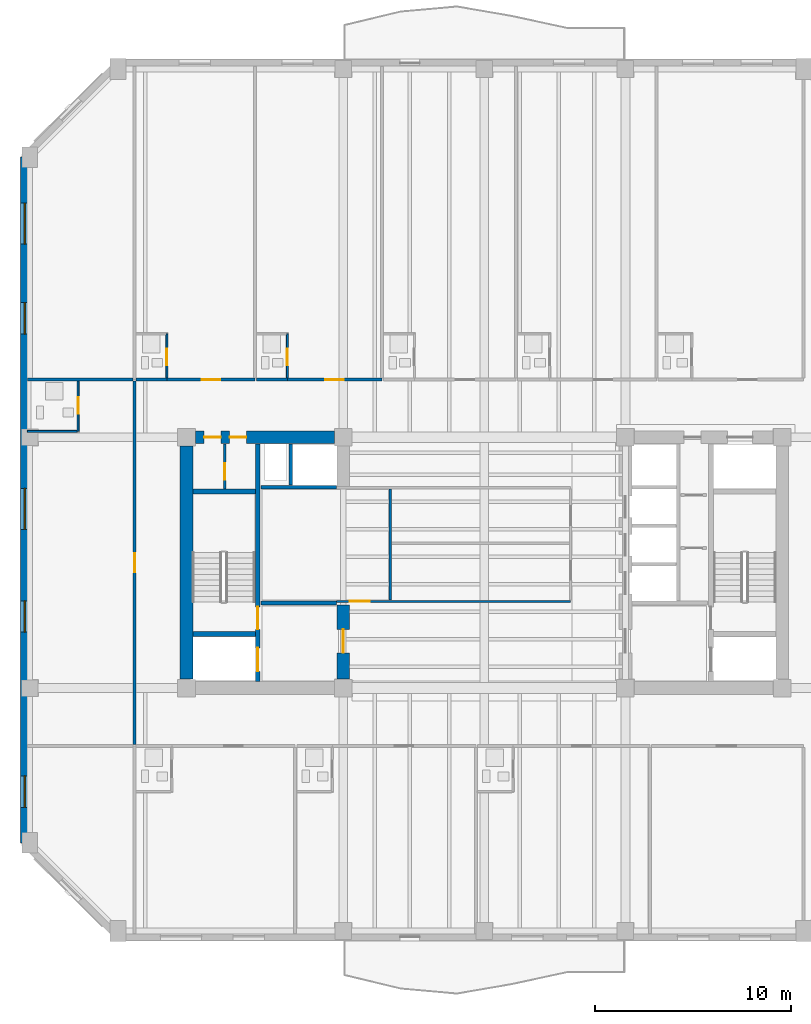
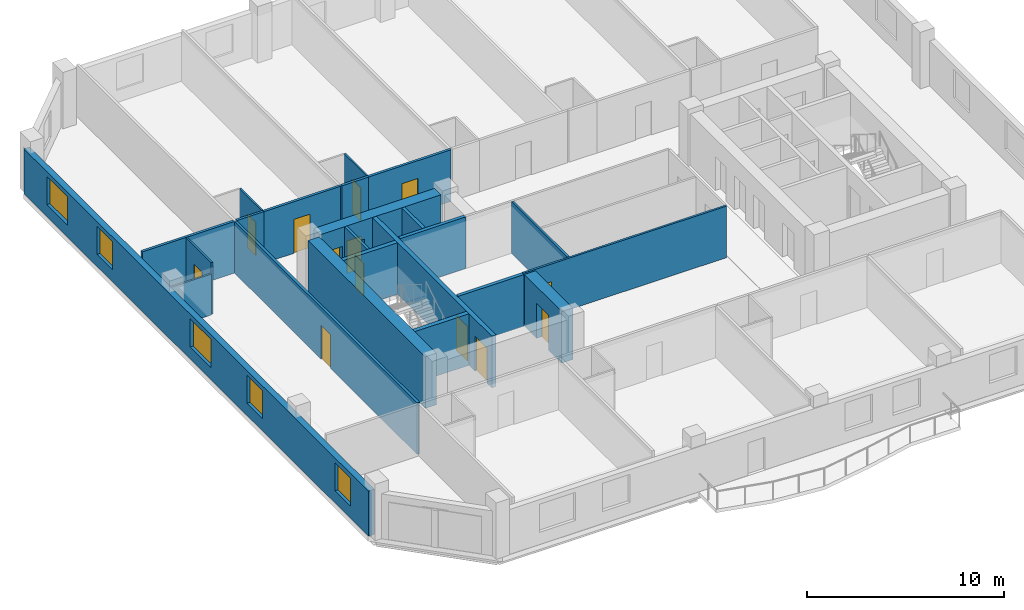
# One storey, part 3 of 11: 23 walls, 13 doors, 5 windows, 18 openings.
"""IFC4 building model written with IfcOpenShell, lengths in metres."""

import ifcopenshell
import ifcopenshell.guid

model = None  # the IFC model being written
_history = None  # IfcOwnerHistory: only IFC2X3 demands one
_inside = {}  # id of a spatial element -> (the spatial element, [elements in it])
_under = {}  # id of a project, library or spatial element -> (it, [spatial elements below it])
_declared = {}  # id of a project -> (the project, [libraries it declares])
_typed = {}  # id of a type object -> (the type object, [elements of that type])
_made_of = {}  # id of a material, layer set ... -> (it, [elements and type objects made of it])


def new_model(schema):
    """Start an empty IFC model of exactly this schema.

    Asked for "IFC4X3", IfcOpenShell would pick the latest addendum, in which some entities
    have other attributes; the version numbers below select the first issue.
    IFC2X3 requires an IfcOwnerHistory on every rooted entity: one is made here for all.
    """
    global model, _history
    if schema == "IFC4X3":
        model = ifcopenshell.file(schema_version=(4, 3, 0, 0))
    else:
        model = ifcopenshell.file(schema=schema)
    _inside.clear()
    _under.clear()
    _declared.clear()
    _typed.clear()
    _made_of.clear()
    _history = None
    if model.schema == "IFC2X3":
        org = make("IfcOrganization", Name="unknown")
        user = make(
            "IfcPersonAndOrganization",
            ThePerson=make("IfcPerson", FamilyName="unknown"),
            TheOrganization=org,
        )
        app = make(
            "IfcApplication",
            ApplicationDeveloper=org,
            Version="unknown",
            ApplicationFullName="unknown",
            ApplicationIdentifier="unknown",
        )
        _history = make(
            "IfcOwnerHistory",
            OwningUser=user,
            OwningApplication=app,
            ChangeAction="ADDED",
            CreationDate=0,
        )
    return model


def make(cls, **values):
    """One entity of the class cls with the attributes given. An attribute that is None is left unset."""
    return model.create_entity(
        cls, **{name: value for name, value in values.items() if value is not None}
    )


def rooted(cls, **values):
    """An entity with a GlobalId (a new one), such as an element, a storey or a relation."""
    return make(cls, GlobalId=ifcopenshell.guid.new(), OwnerHistory=_history, **values)


def si_unit(unit_type, name, prefix=None):
    """IfcSIUnit, for example si_unit("LENGTHUNIT", "METRE", prefix="MILLI")."""
    return make("IfcSIUnit", UnitType=unit_type, Prefix=prefix, Name=name)


def assignment(units):
    """IfcUnitAssignment: the units of a project."""
    return None if units is None else make("IfcUnitAssignment", Units=units)


def point(xyz):
    """IfcCartesianPoint."""
    return None if xyz is None else make("IfcCartesianPoint", Coordinates=xyz)


def direction(xyz):
    """IfcDirection."""
    return None if xyz is None else make("IfcDirection", DirectionRatios=xyz)


def frame(location, z_axis=None, x_axis=None):
    """IfcAxis2Placement3D, a coordinate frame: its origin and axes. An axis left out is left unset."""
    return make(
        "IfcAxis2Placement3D",
        Location=point(location),
        Axis=direction(z_axis),
        RefDirection=direction(x_axis),
    )


def frame_2d(location, x_axis=None):
    """IfcAxis2Placement2D, a coordinate frame in the plane: its origin and x axis."""
    return make(
        "IfcAxis2Placement2D", Location=point(location), RefDirection=direction(x_axis)
    )


def origin():
    """The frame at (0, 0, 0) with its axes left unset."""
    return frame((0.0, 0.0, 0.0))


def place(relative_to, where):
    """IfcLocalPlacement: puts the frame where relative to a parent placement (None: the world)."""
    return make(
        "IfcLocalPlacement", PlacementRelTo=relative_to, RelativePlacement=where
    )


def context(
    kind, dimensions, precision=None, world=None, true_north=None, identifier=None
):
    """IfcGeometricRepresentationContext, for example the 3D "Model" context."""
    return make(
        "IfcGeometricRepresentationContext",
        ContextIdentifier=identifier,
        ContextType=kind,
        CoordinateSpaceDimension=dimensions,
        Precision=precision,
        WorldCoordinateSystem=world,
        TrueNorth=true_north,
    )


def subcontext(parent, identifier, kind, view, scale=None):
    """IfcGeometricRepresentationSubContext, for example "Body" below "Model"."""
    return make(
        "IfcGeometricRepresentationSubContext",
        ContextIdentifier=identifier,
        ContextType=kind,
        ParentContext=parent,
        TargetScale=scale,
        TargetView=view,
    )


def project(units=None, contexts=None):
    """IfcProject with its units and contexts."""
    return rooted(
        "IfcProject",
        Name="project",
        RepresentationContexts=contexts,
        UnitsInContext=assignment(units),
    )


def spatial(cls, under=None, at=None, **own):
    """A site, building, storey or space (cls), placed at a placement, below another one or the project."""
    s = rooted(cls, ObjectPlacement=at, **own)
    if under is not None:
        _under.setdefault(under.id(), (under, []))[1].append(s)
    return s


def profile(cls, at=None, kind="AREA", **sizes):
    """A parametric profile (cls). Its sizes go by their IFC names, for example OverallWidth=200.0."""
    return make(cls, ProfileType=kind, Position=at, **sizes)


def rectangle(**sizes):
    """IfcRectangleProfileDef."""
    return profile("IfcRectangleProfileDef", **sizes)


def extrude(swept, where, along, depth):
    """IfcExtrudedAreaSolid: the profile swept, set in the frame where, extruded along a direction by depth."""
    return make(
        "IfcExtrudedAreaSolid",
        SweptArea=swept,
        Position=where,
        ExtrudedDirection=direction(along),
        Depth=depth,
    )


def shape(context_of_items, identifier, shape_type, items):
    """IfcShapeRepresentation: the items that make up one representation, for example the "Body"."""
    return make(
        "IfcShapeRepresentation",
        ContextOfItems=context_of_items,
        RepresentationIdentifier=identifier,
        RepresentationType=shape_type,
        Items=items,
    )


def material(Name=None, Category=None):
    """IfcMaterial."""
    return make("IfcMaterial", Name=Name, Category=Category)


def layer(
    of_material, thickness, ventilated=None, Name=None, Category=None, Priority=None
):
    """IfcMaterialLayer: one layer of a wall or slab, of a material (None: an air gap)."""
    return make(
        "IfcMaterialLayer",
        Material=of_material,
        LayerThickness=thickness,
        IsVentilated=ventilated,
        Name=Name,
        Category=Category,
        Priority=Priority,
    )


def layer_set(layers, Name=None):
    """IfcMaterialLayerSet."""
    return make("IfcMaterialLayerSet", MaterialLayers=layers, LayerSetName=Name)


def made_of(thing, what):
    """Note that an element or type object is made of a material, layer set ...; save() writes the relation."""
    if what is not None:
        _made_of.setdefault(what.id(), (what, []))[1].append(thing)
    return thing


def type_object(cls, material=None, **own):
    """A type object (cls), such as IfcWallType, which elements share."""
    return made_of(rooted(cls, **own), material)


def element(
    cls,
    number,
    at=None,
    inside=None,
    cuts=None,
    type_object=None,
    material=None,
    context=None,
    identifier="Body",
    shape_type=None,
    held_by="IfcProductDefinitionShape",
    body=None,
    shapes=None,
    **own,
):
    """One element of the class cls, such as IfcWall. Its Tag is "e" and its number.

    at: its placement. inside: the storey or other place that contains it. cuts: it is an
    opening in that element (IfcRelVoidsElement). A single representation is given by context,
    identifier, shape_type and body (its items); several are given by shapes. held_by: the class
    of the entity that holds the representations. save() writes the other relations.
    """
    e = rooted(cls, Tag="e%d" % number, ObjectPlacement=at, **own)
    if body is not None:
        shapes = [shape(context, identifier, shape_type, body)]
    if shapes is not None:
        e.Representation = make(held_by, Representations=shapes)
    if inside is not None:
        _inside.setdefault(inside.id(), (inside, []))[1].append(e)
    if cuts is not None:
        rooted(
            "IfcRelVoidsElement", RelatingBuildingElement=cuts, RelatedOpeningElement=e
        )
    if type_object is not None:
        _typed.setdefault(type_object.id(), (type_object, []))[1].append(e)
    return made_of(e, material)


def fill(opening, filler):
    """IfcRelFillsElement: the door or window that sits in an opening."""
    return rooted(
        "IfcRelFillsElement",
        RelatingOpeningElement=opening,
        RelatedBuildingElement=filler,
    )


def aggregate(whole, parts):
    """IfcRelAggregates: a whole, such as a stair, and the parts it consists of."""
    return rooted("IfcRelAggregates", RelatingObject=whole, RelatedObjects=parts)


def save(model, path):
    """Write the relations noted so far, then the file.

    IfcRelAggregates (storeys below a building ...), IfcRelContainedInSpatialStructure (elements
    in a storey), IfcRelDefinesByType, IfcRelAssociatesMaterial and IfcRelDeclares: one each for
    every whole, place, type object, material and project.
    """
    for whole, parts in _under.values():
        aggregate(whole, parts)
    for where, things in _inside.values():
        rooted(
            "IfcRelContainedInSpatialStructure",
            RelatedElements=things,
            RelatingStructure=where,
        )
    for kind, things in _typed.values():
        rooted("IfcRelDefinesByType", RelatedObjects=things, RelatingType=kind)
    for what, things in _made_of.values():
        rooted("IfcRelAssociatesMaterial", RelatedObjects=things, RelatingMaterial=what)
    for by, libraries in _declared.values():
        rooted("IfcRelDeclares", RelatingContext=by, RelatedDefinitions=libraries)
    model.write(path)


model = new_model("IFC4")

# Units and contexts
model_context = context("Model", 3, precision=1e-05, world=origin(), true_north=direction((0.0, 1.0)))
body_context = subcontext(model_context, "Body", "Model", "MODEL_VIEW")
ifc_project = project(units=[si_unit("LENGTHUNIT", "METRE"), si_unit("AREAUNIT", "SQUARE_METRE"), si_unit("VOLUMEUNIT", "CUBIC_METRE"), si_unit("PLANEANGLEUNIT", "RADIAN"), si_unit("MASSUNIT", "GRAM", prefix="KILO")], contexts=[model_context])

# Site, building, storey
site_placement = place(None, origin())
site = spatial("IfcSite", under=ifc_project, at=site_placement, CompositionType="ELEMENT")
building_placement = place(site_placement, origin())
building = spatial("IfcBuilding", under=site, at=building_placement, Name="Kranthara Brick Stack", CompositionType="ELEMENT")
storey_placement = place(building_placement, frame((0.0, 0.0, 190.300048828125)))
storey = spatial("IfcBuildingStorey", under=building, at=storey_placement, Name="L49", CompositionType="ELEMENT", Elevation=190.300048828125)

# Wall, openings, windows
ifc_material_1 = material(Name="Kiln-fired clay brick masonry M15", Category="masonry")
ifc_layer_1 = layer(ifc_material_1, 0.35009765625)
ifc_layer_set_1 = layer_set([ifc_layer_1], Name="Kiln-fired clay brick masonry M15")
wall_type_1 = type_object("IfcWallType", Name="WL-BRK-SPND-350", PredefinedType="STANDARD", material=ifc_layer_set_1)
wall_1_placement = place(storey_placement, frame((4.4951171875, 12.89990234375, 0.0), z_axis=(0.0, 0.0, 1.0), x_axis=(0.0, 1.0, 0.0)))
wall_1 = element("IfcWall", 1, at=wall_1_placement, inside=storey, type_object=wall_type_1, Name="L49 Exterior Brick Facade Wall WEST 1", PredefinedType="STANDARD", context=body_context, shape_type="SweptSolid", body=[
    extrude(rectangle(XDim=35.0, YDim=0.35009765625, at=frame_2d((17.5, 0.0))), origin(), (0.0, 0.0, 1.0), 2.784912109375),
])
opening_1_placement = place(wall_1_placement, frame((1.81298828125, 0.0, 0.75)))
opening_1 = element("IfcOpeningElement", 2, at=opening_1_placement, cuts=wall_1, Name="Opening WN04", PredefinedType="OPENING", context=body_context, shape_type="SweptSolid", body=[
    extrude(rectangle(XDim=1.60009765625, YDim=1.75, at=frame_2d((0.800048828125, 0.875))), frame((0.0, 0.18505859375, 0.0), z_axis=(0.0, -1.0, 0.0), x_axis=(1.0, 0.0, 0.0)), (0.0, 0.0, 1.0), 0.3701171875),
])
opening_2_placement = place(wall_1_placement, frame((10.751953125, 0.0, 0.75)))
opening_2 = element("IfcOpeningElement", 3, at=opening_2_placement, cuts=wall_1, Name="Opening WN04", PredefinedType="OPENING", context=body_context, shape_type="SweptSolid", body=[
    extrude(rectangle(XDim=1.60009765625, YDim=1.75, at=frame_2d((0.800048828125, 0.875))), frame((0.0, 0.18505859375, 0.0), z_axis=(0.0, -1.0, 0.0), x_axis=(1.0, 0.0, 0.0)), (0.0, 0.0, 1.0), 0.3701171875),
])
opening_3_placement = place(wall_1_placement, frame((15.998046875, 0.0, 0.75)))
opening_3 = element("IfcOpeningElement", 4, at=opening_3_placement, cuts=wall_1, Name="Opening WN05", PredefinedType="OPENING", context=body_context, shape_type="SweptSolid", body=[
    extrude(rectangle(XDim=2.10009765625, YDim=1.75, at=frame_2d((1.050048828125, 0.875))), frame((0.0, 0.18505859375, 0.0), z_axis=(0.0, -1.0, 0.0), x_axis=(1.0, 0.0, 0.0)), (0.0, 0.0, 1.0), 0.3701171875),
])
opening_4_placement = place(wall_1_placement, frame((25.969970703125, 0.0, 0.75)))
opening_4 = element("IfcOpeningElement", 5, at=opening_4_placement, cuts=wall_1, Name="Opening WN04", PredefinedType="OPENING", context=body_context, shape_type="SweptSolid", body=[
    extrude(rectangle(XDim=1.60009765625, YDim=1.75, at=frame_2d((0.800048828125, 0.875))), frame((0.0, 0.18505859375, 0.0), z_axis=(0.0, -1.0, 0.0), x_axis=(1.0, 0.0, 0.0)), (0.0, 0.0, 1.0), 0.3701171875),
])
opening_5_placement = place(wall_1_placement, frame((30.554931640625, 0.0, 0.75)))
opening_5 = element("IfcOpeningElement", 6, at=opening_5_placement, cuts=wall_1, Name="Opening WN05", PredefinedType="OPENING", context=body_context, shape_type="SweptSolid", body=[
    extrude(rectangle(XDim=2.10009765625, YDim=1.75, at=frame_2d((1.050048828125, 0.875))), frame((0.0, 0.18505859375, 0.0), z_axis=(0.0, -1.0, 0.0), x_axis=(1.0, 0.0, 0.0)), (0.0, 0.0, 1.0), 0.3701171875),
])
ifc_material_2 = material(Name="Double-glazed low-E solar control glass", Category="glass")
window_type_1 = type_object("IfcWindowType", Name="WN-HTL-1600x1850", PartitioningType="DOUBLE_PANEL_VERTICAL", PredefinedType="WINDOW", material=ifc_material_2)
window_1_placement = place(opening_1_placement, origin())
window_1 = element("IfcWindow", 7, at=window_1_placement, inside=storey, type_object=window_type_1, Name="L49 West Deep-Set Brick Window 01", OverallHeight=1.75, OverallWidth=1.60009765625, PartitioningType="SINGLE_PANEL", PredefinedType="WINDOW", context=body_context, shape_type="SweptSolid", body=[
    extrude(rectangle(XDim=1.60009765625, YDim=1.75, at=frame_2d((0.800048828125, 0.875))), frame((0.0, -0.010009765625, 0.0), z_axis=(0.0, -1.0, 0.0), x_axis=(1.0, 0.0, 0.0)), (0.0, 0.0, 1.0), 0.06005859375),
])
fill(opening_1, window_1)
window_2_placement = place(opening_2_placement, origin())
window_2 = element("IfcWindow", 8, at=window_2_placement, inside=storey, type_object=window_type_1, Name="L49 West Deep-Set Brick Window 02", OverallHeight=1.75, OverallWidth=1.60009765625, PartitioningType="SINGLE_PANEL", PredefinedType="WINDOW", context=body_context, shape_type="SweptSolid", body=[
    extrude(rectangle(XDim=1.60009765625, YDim=1.75, at=frame_2d((0.800048828125, 0.875))), frame((0.0, -0.010009765625, 0.0), z_axis=(0.0, -1.0, 0.0), x_axis=(1.0, 0.0, 0.0)), (0.0, 0.0, 1.0), 0.06005859375),
])
fill(opening_2, window_2)
window_3_placement = place(opening_4_placement, origin())
window_3 = element("IfcWindow", 9, at=window_3_placement, inside=storey, type_object=window_type_1, Name="L49 West Deep-Set Brick Window 04", OverallHeight=1.75, OverallWidth=1.60009765625, PartitioningType="SINGLE_PANEL", PredefinedType="WINDOW", context=body_context, shape_type="SweptSolid", body=[
    extrude(rectangle(XDim=1.60009765625, YDim=1.75, at=frame_2d((0.800048828125, 0.875))), frame((0.0, -0.010009765625, 0.0), z_axis=(0.0, -1.0, 0.0), x_axis=(1.0, 0.0, 0.0)), (0.0, 0.0, 1.0), 0.06005859375),
])
fill(opening_4, window_3)
ifc_material_3 = material(Name="Double-glazed low-E solar control glass", Category="glass")
window_type_2 = type_object("IfcWindowType", Name="WN-HTL-2100x1850", PartitioningType="DOUBLE_PANEL_VERTICAL", PredefinedType="WINDOW", material=ifc_material_3)
window_4_placement = place(opening_3_placement, origin())
window_4 = element("IfcWindow", 10, at=window_4_placement, inside=storey, type_object=window_type_2, Name="L49 West Deep-Set Brick Window 03", OverallHeight=1.75, OverallWidth=2.10009765625, PartitioningType="SINGLE_PANEL", PredefinedType="WINDOW", context=body_context, shape_type="SweptSolid", body=[
    extrude(rectangle(XDim=2.10009765625, YDim=1.75, at=frame_2d((1.050048828125, 0.875))), frame((0.0, -0.010009765625, 0.0), z_axis=(0.0, -1.0, 0.0), x_axis=(1.0, 0.0, 0.0)), (0.0, 0.0, 1.0), 0.06005859375),
])
fill(opening_3, window_4)
window_5_placement = place(opening_5_placement, origin())
window_5 = element("IfcWindow", 11, at=window_5_placement, inside=storey, type_object=window_type_2, Name="L49 West Deep-Set Brick Window 05", OverallHeight=1.75, OverallWidth=2.10009765625, PartitioningType="SINGLE_PANEL", PredefinedType="WINDOW", context=body_context, shape_type="SweptSolid", body=[
    extrude(rectangle(XDim=2.10009765625, YDim=1.75, at=frame_2d((1.050048828125, 0.875))), frame((0.0, -0.010009765625, 0.0), z_axis=(0.0, -1.0, 0.0), x_axis=(1.0, 0.0, 0.0)), (0.0, 0.0, 1.0), 0.06005859375),
])
fill(opening_5, window_5)

# Wall, openings, doors
ifc_material_4 = material(Name="Concrete C50/60", Category="concrete")
ifc_layer_2 = layer(ifc_material_4, 0.25)
ifc_layer_set_2 = layer_set([ifc_layer_2], Name="Concrete C50/60")
wall_type_2 = type_object("IfcWallType", Name="WL-CORE-250", PredefinedType="SHEAR", material=ifc_layer_set_2)
wall_2_placement = place(storey_placement, frame((16.43505859375, 21.135009765625, 0.0), z_axis=(0.0, 0.0, 1.0), x_axis=(0.0, 1.0, 0.0)))
wall_2 = element("IfcWall", 12, at=wall_2_placement, inside=storey, type_object=wall_type_2, Name="L49 West Core Stair Bearing Spine Wall", PredefinedType="SHEAR", context=body_context, shape_type="SweptSolid", body=[
    extrude(rectangle(XDim=12.1298828125, YDim=0.25, at=frame_2d((6.06494140625, 0.0))), origin(), (0.0, 0.0, 1.0), 3.199951171875),
])
opening_6_placement = place(wall_2_placement, frame((0.514892578125, 0.0, 0.0)))
opening_6 = element("IfcOpeningElement", 13, at=opening_6_placement, cuts=wall_2, Name="Opening LD01", PredefinedType="OPENING", context=body_context, shape_type="SweptSolid", body=[
    extrude(rectangle(XDim=1.199951171875, YDim=2.14990234375, at=frame_2d((0.60009765625, 1.074951171875))), frame((0.0, 0.135009765625, 0.0), z_axis=(0.0, -1.0, 0.0), x_axis=(1.0, 0.0, 0.0)), (0.0, 0.0, 1.0), 0.27001953125),
])
opening_7_placement = place(wall_2_placement, frame((2.6650390625, 0.0, 0.0)))
opening_7 = element("IfcOpeningElement", 14, at=opening_7_placement, cuts=wall_2, Name="Opening D05", PredefinedType="OPENING", context=body_context, shape_type="SweptSolid", body=[
    extrude(rectangle(XDim=1.14990234375, YDim=2.14990234375, at=frame_2d((0.574951171875, 1.074951171875))), frame((0.0, 0.135009765625, 0.0), z_axis=(0.0, -1.0, 0.0), x_axis=(1.0, 0.0, 0.0)), (0.0, 0.0, 1.0), 0.27001953125),
])
ifc_material_5 = material(Name="Stainless steel sliding landing door", Category="steel")
door_type_1 = type_object("IfcDoorType", Name="DR-LD-FF1200", OperationType="DOUBLE_DOOR_SLIDING", PredefinedType="DOOR", material=ifc_material_5)
door_1_placement = place(opening_6_placement, origin())
door_1 = element("IfcDoor", 15, at=door_1_placement, inside=storey, type_object=door_type_1, Name="L49 Firefighting Lift FF-01 Landing Door", OperationType="DOUBLE_DOOR_SLIDING", OverallHeight=2.14990234375, OverallWidth=1.199951171875, PredefinedType="DOOR", context=body_context, shape_type="SweptSolid", body=[
    extrude(rectangle(XDim=1.199951171875, YDim=2.14990234375, at=frame_2d((0.60009765625, 1.074951171875))), frame((0.0, 0.02490234375, 0.0), z_axis=(0.0, -1.0, 0.0), x_axis=(1.0, 0.0, 0.0)), (0.0, 0.0, 1.0), 0.050048828125),
])
fill(opening_6, door_1)
ifc_material_6 = material(Name="Solid-core hardwood timber leaf in steel frame", Category="steel")
door_type_2 = type_object("IfcDoorType", Name="DR-ST-1150", OperationType="NOTDEFINED", PredefinedType="DOOR", material=ifc_material_6)
door_2_placement = place(opening_7_placement, origin())
door_2 = element("IfcDoor", 16, at=door_2_placement, inside=storey, type_object=door_type_2, Name="L49 Exit Stair ST01 Door", OperationType="SINGLE_SWING_RIGHT", OverallHeight=2.14990234375, OverallWidth=1.14990234375, PredefinedType="DOOR", context=body_context, shape_type="SweptSolid", body=[
    extrude(rectangle(XDim=1.14990234375, YDim=2.14990234375, at=frame_2d((0.574951171875, 1.074951171875))), frame((0.0, 0.02490234375, 0.0), z_axis=(0.0, -1.0, 0.0), x_axis=(1.0, 0.0, 0.0)), (0.0, 0.0, 1.0), 0.050048828125),
])
fill(opening_7, door_2)

# Walls
for number, where, z_axis, x_axis, name in (
    (17, (13.135009765625, 23.570068359375, 0.0), (0.0, 0.0, 1.0), (1.0, 0.0, 0.0), "L49 West Stairwell Bearing Wall WFF"),
    (18, (13.135009765625, 30.830078125, 0.0), (0.0, 0.0, 1.0), (1.0, 0.0, 0.0), "L49 West Stairwell Bearing Wall WST"),
):
    element("IfcWall", number, at=place(storey_placement, frame(where, z_axis=z_axis, x_axis=x_axis)), inside=storey, type_object=wall_type_2, Name=name, PredefinedType="SHEAR", context=body_context, shape_type="SweptSolid", body=[
        extrude(rectangle(XDim=3.175048828125, YDim=0.25, at=frame_2d((1.58740234375, 0.0))), origin(), (0.0, 0.0, 1.0), 3.199951171875),
    ])
ifc_material_7 = material(Name="Concrete C60/75", Category="concrete")
ifc_layer_3 = layer(ifc_material_7, 0.64990234375)
ifc_layer_set_3 = layer_set([ifc_layer_3], Name="Concrete C60/75")
wall_type_3 = type_object("IfcWallType", Name="WL-CORE-650", PredefinedType="SHEAR", material=ifc_layer_set_3)
wall_3_placement = place(storey_placement, frame((12.800048828125, 21.2548828125, 0.0), z_axis=(0.0, 0.0, 1.0), x_axis=(0.0, 1.0, 0.0)))
element("IfcWall", 19, at=wall_3_placement, inside=storey, type_object=wall_type_3, Name="L49 West Core Shear Wall West", PredefinedType="SHEAR", context=body_context, shape_type="SweptSolid", body=[
    extrude(rectangle(XDim=11.89013671875, YDim=0.64990234375, at=frame_2d((5.945068359375, 0.0))), origin(), (0.0, 0.0, 1.0), 3.199951171875),
])

# Wall, openings, doors
wall_4_placement = place(storey_placement, frame((13.2548828125, 33.60009765625, 0.0), z_axis=(0.0, 0.0, 1.0), x_axis=(1.0, 0.0, 0.0)))
wall_4 = element("IfcWall", 20, at=wall_4_placement, inside=storey, type_object=wall_type_3, Name="L49 West Core Shear Wall North", PredefinedType="SHEAR", context=body_context, shape_type="SweptSolid", body=[
    extrude(rectangle(XDim=7.090087890625, YDim=0.64990234375, at=frame_2d((3.544921875, 0.0))), origin(), (0.0, 0.0, 1.0), 3.199951171875),
])
opening_8_placement = place(wall_4_placement, frame((0.445068359375, 0.0, 0.0)))
opening_8 = element("IfcOpeningElement", 21, at=opening_8_placement, cuts=wall_4, Name="Opening D10", PredefinedType="OPENING", context=body_context, shape_type="SweptSolid", body=[
    extrude(rectangle(XDim=0.85009765625, YDim=2.02001953125, at=frame_2d((0.425048828125, 1.010009765625))), frame((0.0, 0.3349609375, 0.0), z_axis=(0.0, -1.0, 0.0), x_axis=(1.0, 0.0, 0.0)), (0.0, 0.0, 1.0), 0.669921875),
])
opening_9_placement = place(wall_4_placement, frame((1.7451171875, 0.0, 0.0)))
opening_9 = element("IfcOpeningElement", 22, at=opening_9_placement, cuts=wall_4, Name="Opening D10", PredefinedType="OPENING", context=body_context, shape_type="SweptSolid", body=[
    extrude(rectangle(XDim=0.85009765625, YDim=2.02001953125, at=frame_2d((0.425048828125, 1.010009765625))), frame((0.0, 0.3349609375, 0.0), z_axis=(0.0, -1.0, 0.0), x_axis=(1.0, 0.0, 0.0)), (0.0, 0.0, 1.0), 0.669921875),
])
ifc_material_8 = material(Name="Solid-core hardwood timber leaf in steel frame", Category="steel")
door_type_3 = type_object("IfcDoorType", Name="DR-RSR-850", OperationType="NOTDEFINED", PredefinedType="DOOR", material=ifc_material_8)
door_3_placement = place(opening_8_placement, origin())
door_3 = element("IfcDoor", 23, at=door_3_placement, inside=storey, type_object=door_type_3, Name="L49 West Core Service Door 1", OperationType="SINGLE_SWING_LEFT", OverallHeight=2.02001953125, OverallWidth=0.85009765625, PredefinedType="DOOR", context=body_context, shape_type="SweptSolid", body=[
    extrude(rectangle(XDim=0.85009765625, YDim=2.02001953125, at=frame_2d((0.425048828125, 1.010009765625))), frame((0.0, 0.02490234375, 0.0), z_axis=(0.0, -1.0, 0.0), x_axis=(1.0, 0.0, 0.0)), (0.0, 0.0, 1.0), 0.050048828125),
])
fill(opening_8, door_3)
door_4_placement = place(opening_9_placement, origin())
door_4 = element("IfcDoor", 24, at=door_4_placement, inside=storey, type_object=door_type_3, Name="L49 West Core Service Door 2", OperationType="SINGLE_SWING_RIGHT", OverallHeight=2.02001953125, OverallWidth=0.85009765625, PredefinedType="DOOR", context=body_context, shape_type="SweptSolid", body=[
    extrude(rectangle(XDim=0.85009765625, YDim=2.02001953125, at=frame_2d((0.425048828125, 1.010009765625))), frame((0.0, 0.02490234375, 0.0), z_axis=(0.0, -1.0, 0.0), x_axis=(1.0, 0.0, 0.0)), (0.0, 0.0, 1.0), 0.050048828125),
])
fill(opening_9, door_4)

# Wall, opening, door
wall_5_placement = place(storey_placement, frame((20.800048828125, 21.2548828125, 0.0), z_axis=(0.0, 0.0, 1.0), x_axis=(0.0, 1.0, 0.0)))
wall_5 = element("IfcWall", 25, at=wall_5_placement, inside=storey, type_object=wall_type_3, Name="L49 West Core Lobby Shear Wall", PredefinedType="SHEAR", context=body_context, shape_type="SweptSolid", body=[
    extrude(rectangle(XDim=3.795166015625, YDim=0.64990234375, at=frame_2d((1.8974609375, 0.0))), origin(), (0.0, 0.0, 1.0), 3.199951171875),
])
opening_10_placement = place(wall_5_placement, frame((1.344970703125, 0.0, 0.0)))
opening_10 = element("IfcOpeningElement", 26, at=opening_10_placement, cuts=wall_5, Name="Opening D06", PredefinedType="OPENING", context=body_context, shape_type="SweptSolid", body=[
    extrude(rectangle(XDim=1.199951171875, YDim=2.14990234375, at=frame_2d((0.60009765625, 1.074951171875))), frame((0.0, 0.3349609375, 0.0), z_axis=(0.0, -1.0, 0.0), x_axis=(1.0, 0.0, 0.0)), (0.0, 0.0, 1.0), 0.669921875),
])
ifc_material_9 = material(Name="Solid-core hardwood timber leaf in steel frame", Category="steel")
door_type_4 = type_object("IfcDoorType", Name="DR-FFL-1200", OperationType="NOTDEFINED", PredefinedType="DOOR", material=ifc_material_9)
door_5_placement = place(opening_10_placement, origin())
door_5 = element("IfcDoor", 27, at=door_5_placement, inside=storey, type_object=door_type_4, Name="L49 West Firefighting Lobby Door", OperationType="SINGLE_SWING_LEFT", OverallHeight=2.14990234375, OverallWidth=1.199951171875, PredefinedType="DOOR", context=body_context, shape_type="SweptSolid", body=[
    extrude(rectangle(XDim=1.199951171875, YDim=2.14990234375, at=frame_2d((0.60009765625, 1.074951171875))), frame((0.0, 0.02490234375, 0.0), z_axis=(0.0, -1.0, 0.0), x_axis=(1.0, 0.0, 0.0)), (0.0, 0.0, 1.0), 0.050048828125),
])
fill(opening_10, door_5)

ifc_material_10 = material(Name="Moisture-resistant wet-room partition", Category="other")
ifc_layer_4 = layer(ifc_material_10, 0.10009765625)
ifc_layer_set_4 = layer_set([ifc_layer_4], Name="Moisture-resistant wet-room partition")
wall_type_4 = type_object("IfcWallType", Name="WL-PART-100", PredefinedType="PARTITIONING", material=ifc_layer_set_4)
wall_6_placement = place(storey_placement, frame((11.800048828125, 36.6298828125, 0.0), z_axis=(0.0, 0.0, 1.0), x_axis=(0.0, 1.0, 0.0)))
wall_6 = element("IfcWall", 28, at=wall_6_placement, inside=storey, type_object=wall_type_4, Name="L49 Interior Partition 030", PredefinedType="PARTITIONING", context=body_context, shape_type="SweptSolid", body=[
    extrude(rectangle(XDim=2.25, YDim=0.10009765625, at=frame_2d((1.125, 0.0))), origin(), (0.0, 0.0, 1.0), 3.199951171875),
])
opening_11_placement = place(wall_6_placement, frame((0.639892578125, 0.0, 0.0)))
opening_11 = element("IfcOpeningElement", 29, at=opening_11_placement, cuts=wall_6, Name="Opening D17", PredefinedType="OPENING", context=body_context, shape_type="SweptSolid", body=[
    extrude(rectangle(XDim=0.85009765625, YDim=2.050048828125, at=frame_2d((0.425048828125, 1.02490234375))), frame((0.0, 0.06005859375, 0.0), z_axis=(0.0, -1.0, 0.0), x_axis=(1.0, 0.0, 0.0)), (0.0, 0.0, 1.0), 0.1201171875),
])
ifc_material_11 = material(Name="Solid-core hardwood timber leaf in steel frame", Category="steel")
door_type_5 = type_object("IfcDoorType", Name="DR-WET-850", OperationType="NOTDEFINED", PredefinedType="DOOR", material=ifc_material_11)
door_6_placement = place(opening_11_placement, origin())
door_6 = element("IfcDoor", 30, at=door_6_placement, inside=storey, type_object=door_type_5, Name="L49 Key 05 En-Suite Door 14", OperationType="SINGLE_SWING_RIGHT", OverallHeight=2.050048828125, OverallWidth=0.85009765625, PredefinedType="DOOR", context=body_context, shape_type="SweptSolid", body=[
    extrude(rectangle(XDim=0.85009765625, YDim=2.050048828125, at=frame_2d((0.425048828125, 1.02490234375))), frame((0.0, 0.02490234375, 0.0), z_axis=(0.0, -1.0, 0.0), x_axis=(1.0, 0.0, 0.0)), (0.0, 0.0, 1.0), 0.050048828125),
])
fill(opening_11, door_6)

wall_7_placement = place(storey_placement, frame((17.947021484375, 36.6298828125, 0.0), z_axis=(0.0, 0.0, 1.0), x_axis=(0.0, 1.0, 0.0)))
wall_7 = element("IfcWall", 31, at=wall_7_placement, inside=storey, type_object=wall_type_4, Name="L49 Interior Partition 035", PredefinedType="PARTITIONING", context=body_context, shape_type="SweptSolid", body=[
    extrude(rectangle(XDim=2.25, YDim=0.10009765625, at=frame_2d((1.125, 0.0))), origin(), (0.0, 0.0, 1.0), 3.199951171875),
])
opening_12_placement = place(wall_7_placement, frame((0.639892578125, 0.0, 0.0)))
opening_12 = element("IfcOpeningElement", 32, at=opening_12_placement, cuts=wall_7, Name="Opening D17", PredefinedType="OPENING", context=body_context, shape_type="SweptSolid", body=[
    extrude(rectangle(XDim=0.85009765625, YDim=2.050048828125, at=frame_2d((0.425048828125, 1.02490234375))), frame((0.0, 0.06005859375, 0.0), z_axis=(0.0, -1.0, 0.0), x_axis=(1.0, 0.0, 0.0)), (0.0, 0.0, 1.0), 0.1201171875),
])
door_7_placement = place(opening_12_placement, origin())
door_7 = element("IfcDoor", 33, at=door_7_placement, inside=storey, type_object=door_type_5, Name="L49 Key 06 En-Suite Door 16", OperationType="SINGLE_SWING_RIGHT", OverallHeight=2.050048828125, OverallWidth=0.85009765625, PredefinedType="DOOR", context=body_context, shape_type="SweptSolid", body=[
    extrude(rectangle(XDim=0.85009765625, YDim=2.050048828125, at=frame_2d((0.425048828125, 1.02490234375))), frame((0.0, 0.02490234375, 0.0), z_axis=(0.0, -1.0, 0.0), x_axis=(1.0, 0.0, 0.0)), (0.0, 0.0, 1.0), 0.050048828125),
])
fill(opening_12, door_7)

wall_8_placement = place(storey_placement, frame((7.27001953125, 33.89990234375, 0.0), z_axis=(0.0, 0.0, 1.0), x_axis=(0.0, 1.0, 0.0)))
wall_8 = element("IfcWall", 34, at=wall_8_placement, inside=storey, type_object=wall_type_4, Name="L49 Interior Partition 056", PredefinedType="PARTITIONING", context=body_context, shape_type="SweptSolid", body=[
    extrude(rectangle(XDim=2.570068359375, YDim=0.10009765625, at=frame_2d((1.28515625, 0.0))), origin(), (0.0, 0.0, 1.0), 3.199951171875),
])
opening_13_placement = place(wall_8_placement, frame((0.905029296875, 0.0, 0.0)))
opening_13 = element("IfcOpeningElement", 35, at=opening_13_placement, cuts=wall_8, Name="Opening D17", PredefinedType="OPENING", context=body_context, shape_type="SweptSolid", body=[
    extrude(rectangle(XDim=0.85009765625, YDim=2.050048828125, at=frame_2d((0.425048828125, 1.02490234375))), frame((0.0, 0.06005859375, 0.0), z_axis=(0.0, -1.0, 0.0), x_axis=(1.0, 0.0, 0.0)), (0.0, 0.0, 1.0), 0.1201171875),
])
door_8_placement = place(opening_13_placement, origin())
door_8 = element("IfcDoor", 36, at=door_8_placement, inside=storey, type_object=door_type_5, Name="L49 West Key 10 Bath 24", OperationType="SINGLE_SWING_RIGHT", OverallHeight=2.050048828125, OverallWidth=0.85009765625, PredefinedType="DOOR", context=body_context, shape_type="SweptSolid", body=[
    extrude(rectangle(XDim=0.85009765625, YDim=2.050048828125, at=frame_2d((0.425048828125, 1.02490234375))), frame((0.0, 0.02490234375, 0.0), z_axis=(0.0, -1.0, 0.0), x_axis=(1.0, 0.0, 0.0)), (0.0, 0.0, 1.0), 0.050048828125),
])
fill(opening_13, door_8)

# Wall
wall_9_placement = place(storey_placement, frame((4.675048828125, 33.89990234375, 0.0), z_axis=(0.0, 0.0, 1.0), x_axis=(1.0, 0.0, 0.0)))
element("IfcWall", 37, at=wall_9_placement, inside=storey, type_object=wall_type_4, Name="L49 Interior Partition 057", PredefinedType="PARTITIONING", context=body_context, shape_type="SweptSolid", body=[
    extrude(rectangle(XDim=2.5400390625, YDim=0.10009765625, at=frame_2d((1.27001953125, 0.0))), origin(), (0.0, 0.0, 1.0), 2.534912109375),
])

# Wall, opening, door
ifc_material_12 = material(Name="Acoustic gypsum plasterboard partition", Category="other")
ifc_layer_5 = layer(ifc_material_12, 0.1201171875)
ifc_layer_set_5 = layer_set([ifc_layer_5], Name="Acoustic gypsum plasterboard partition")
wall_type_5 = type_object("IfcWallType", Name="WL-PART-120", PredefinedType="PARTITIONING", material=ifc_layer_set_5)
wall_10_placement = place(storey_placement, frame((20.4599609375, 25.219970703125, 0.0), z_axis=(0.0, 0.0, 1.0), x_axis=(1.0, 0.0, 0.0)))
wall_10 = element("IfcWall", 38, at=wall_10_placement, inside=storey, type_object=wall_type_5, Name="L49 Interior Partition 004", PredefinedType="PARTITIONING", context=body_context, shape_type="SweptSolid", body=[
    extrude(rectangle(XDim=11.93994140625, YDim=0.1201171875, at=frame_2d((5.969970703125, 0.0))), origin(), (0.0, 0.0, 1.0), 3.199951171875),
])
opening_14_placement = place(wall_10_placement, frame((0.679931640625, 0.0, 0.0)))
opening_14 = element("IfcOpeningElement", 39, at=opening_14_placement, cuts=wall_10, Name="Opening D13", PredefinedType="OPENING", context=body_context, shape_type="SweptSolid", body=[
    extrude(rectangle(XDim=1.0, YDim=2.10009765625, at=frame_2d((0.5, 1.050048828125))), frame((0.0, 0.070068359375, 0.0), z_axis=(0.0, -1.0, 0.0), x_axis=(1.0, 0.0, 0.0)), (0.0, 0.0, 1.0), 0.14013671875),
])
ifc_material_13 = material(Name="Solid-core hardwood timber leaf in steel frame", Category="steel")
door_type_6 = type_object("IfcDoorType", Name="DR-INT-1000", OperationType="NOTDEFINED", PredefinedType="DOOR", material=ifc_material_13)
door_9_placement = place(opening_14_placement, origin())
door_9 = element("IfcDoor", 40, at=door_9_placement, inside=storey, type_object=door_type_6, Name="L49 Hotel Study Door 04", OperationType="SINGLE_SWING_RIGHT", OverallHeight=2.10009765625, OverallWidth=1.0, PredefinedType="DOOR", context=body_context, shape_type="SweptSolid", body=[
    extrude(rectangle(XDim=1.0, YDim=2.10009765625, at=frame_2d((0.5, 1.050048828125))), frame((0.0, 0.02490234375, 0.0), z_axis=(0.0, -1.0, 0.0), x_axis=(1.0, 0.0, 0.0)), (0.0, 0.0, 1.0), 0.050048828125),
])
fill(opening_14, door_9)

# Wall
wall_11_placement = place(storey_placement, frame((23.199951171875, 25.284912109375, 0.0), z_axis=(0.0, 0.0, 1.0), x_axis=(0.0, 1.0, 0.0)))
element("IfcWall", 41, at=wall_11_placement, inside=storey, type_object=wall_type_5, Name="L49 Interior Partition 007", PredefinedType="PARTITIONING", context=body_context, shape_type="SweptSolid", body=[
    extrude(rectangle(XDim=5.670166015625, YDim=0.1201171875, at=frame_2d((2.8349609375, 0.0))), origin(), (0.0, 0.0, 1.0), 3.199951171875),
])

# Wall, opening, door
ifc_material_14 = material(Name="Fire-rated gypsum board partition", Category="other")
ifc_layer_6 = layer(ifc_material_14, 0.14990234375)
ifc_layer_set_6 = layer_set([ifc_layer_6], Name="Fire-rated gypsum board partition")
wall_type_6 = type_object("IfcWallType", Name="WL-PART-150", PredefinedType="PARTITIONING", material=ifc_layer_set_6)
wall_12_placement = place(storey_placement, frame((14.75, 30.9599609375, 0.0), z_axis=(0.0, 0.0, 1.0), x_axis=(0.0, 1.0, 0.0)))
wall_12 = element("IfcWall", 42, at=wall_12_placement, inside=storey, type_object=wall_type_6, Name="L49 Interior Partition 001", PredefinedType="PARTITIONING", context=body_context, shape_type="SweptSolid", body=[
    extrude(rectangle(XDim=2.31005859375, YDim=0.14990234375, at=frame_2d((1.155029296875, 0.0))), origin(), (0.0, 0.0, 1.0), 3.199951171875),
])
opening_15_placement = place(wall_12_placement, frame((0.469970703125, 0.0, 0.0)))
opening_15 = element("IfcOpeningElement", 43, at=opening_15_placement, cuts=wall_12, Name="Opening D10", PredefinedType="OPENING", context=body_context, shape_type="SweptSolid", body=[
    extrude(rectangle(XDim=0.85009765625, YDim=2.02001953125, at=frame_2d((0.425048828125, 1.010009765625))), frame((0.0, 0.0849609375, 0.0), z_axis=(0.0, -1.0, 0.0), x_axis=(1.0, 0.0, 0.0)), (0.0, 0.0, 1.0), 0.169921875),
])
door_10_placement = place(opening_15_placement, origin())
door_10 = element("IfcDoor", 44, at=door_10_placement, inside=storey, type_object=door_type_3, Name="L49 Service Interconnect 01", OperationType="SINGLE_SWING_LEFT", OverallHeight=2.02001953125, OverallWidth=0.85009765625, PredefinedType="DOOR", context=body_context, shape_type="SweptSolid", body=[
    extrude(rectangle(XDim=0.85009765625, YDim=2.02001953125, at=frame_2d((0.425048828125, 1.010009765625))), frame((0.0, 0.02490234375, 0.0), z_axis=(0.0, -1.0, 0.0), x_axis=(1.0, 0.0, 0.0)), (0.0, 0.0, 1.0), 0.050048828125),
])
fill(opening_15, door_10)

# Wall
wall_13_placement = place(storey_placement, frame((10.22998046875, 36.550048828125, 0.0), z_axis=(0.0, 0.0, 1.0), x_axis=(1.0, 0.0, 0.0)))
element("IfcWall", 45, at=wall_13_placement, inside=storey, type_object=wall_type_6, Name="L49 Interior Partition 028", PredefinedType="PARTITIONING", context=body_context, shape_type="SweptSolid", body=[
    extrude(rectangle(XDim=1.570068359375, YDim=0.14990234375, at=frame_2d((0.78515625, 0.0))), origin(), (0.0, 0.0, 1.0), 3.199951171875),
])

# Wall, opening, door
wall_14_placement = place(storey_placement, frame((11.800048828125, 36.550048828125, 0.0), z_axis=(0.0, 0.0, 1.0), x_axis=(1.0, 0.0, 0.0)))
wall_14 = element("IfcWall", 46, at=wall_14_placement, inside=storey, type_object=wall_type_6, Name="L49 Interior Partition 029", PredefinedType="PARTITIONING", context=body_context, shape_type="SweptSolid", body=[
    extrude(rectangle(XDim=4.4970703125, YDim=0.14990234375, at=frame_2d((2.24853515625, 0.0))), origin(), (0.0, 0.0, 1.0), 3.199951171875),
])
opening_16_placement = place(wall_14_placement, frame((1.76806640625, 0.0, 0.0)))
opening_16 = element("IfcOpeningElement", 47, at=opening_16_placement, cuts=wall_14, Name="Opening D09", PredefinedType="OPENING", context=body_context, shape_type="SweptSolid", body=[
    extrude(rectangle(XDim=0.949951171875, YDim=2.10009765625, at=frame_2d((0.47509765625, 1.050048828125))), frame((0.0, 0.0849609375, 0.0), z_axis=(0.0, -1.0, 0.0), x_axis=(1.0, 0.0, 0.0)), (0.0, 0.0, 1.0), 0.169921875),
])
ifc_material_15 = material(Name="Solid-core hardwood timber leaf in steel frame", Category="steel")
door_type_7 = type_object("IfcDoorType", Name="DR-FD-950", OperationType="NOTDEFINED", PredefinedType="DOOR", material=ifc_material_15)
door_11_placement = place(opening_16_placement, origin())
door_11 = element("IfcDoor", 48, at=door_11_placement, inside=storey, type_object=door_type_7, Name="L49 Key 05 Entry 15", OperationType="SINGLE_SWING_LEFT", OverallHeight=2.10009765625, OverallWidth=0.949951171875, PredefinedType="DOOR", context=body_context, shape_type="SweptSolid", body=[
    extrude(rectangle(XDim=0.949951171875, YDim=2.10009765625, at=frame_2d((0.47509765625, 1.050048828125))), frame((0.0, 0.02490234375, 0.0), z_axis=(0.0, -1.0, 0.0), x_axis=(1.0, 0.0, 0.0)), (0.0, 0.0, 1.0), 0.050048828125),
])
fill(opening_16, door_11)

# Wall
wall_15_placement = place(storey_placement, frame((16.376953125, 36.550048828125, 0.0), z_axis=(0.0, 0.0, 1.0), x_axis=(1.0, 0.0, 0.0)))
element("IfcWall", 49, at=wall_15_placement, inside=storey, type_object=wall_type_6, Name="L49 Interior Partition 033", PredefinedType="PARTITIONING", context=body_context, shape_type="SweptSolid", body=[
    extrude(rectangle(XDim=1.570068359375, YDim=0.14990234375, at=frame_2d((0.78515625, 0.0))), origin(), (0.0, 0.0, 1.0), 3.199951171875),
])

# Wall, opening, door
wall_16_placement = place(storey_placement, frame((17.947021484375, 36.550048828125, 0.0), z_axis=(0.0, 0.0, 1.0), x_axis=(1.0, 0.0, 0.0)))
wall_16 = element("IfcWall", 50, at=wall_16_placement, inside=storey, type_object=wall_type_6, Name="L49 Interior Partition 034", PredefinedType="PARTITIONING", context=body_context, shape_type="SweptSolid", body=[
    extrude(rectangle(XDim=4.837890625, YDim=0.14990234375, at=frame_2d((2.4189453125, 0.0))), origin(), (0.0, 0.0, 1.0), 3.199951171875),
])
opening_17_placement = place(wall_16_placement, frame((1.93896484375, 0.0, 0.0)))
opening_17 = element("IfcOpeningElement", 51, at=opening_17_placement, cuts=wall_16, Name="Opening D09", PredefinedType="OPENING", context=body_context, shape_type="SweptSolid", body=[
    extrude(rectangle(XDim=0.949951171875, YDim=2.10009765625, at=frame_2d((0.47509765625, 1.050048828125))), frame((0.0, 0.0849609375, 0.0), z_axis=(0.0, -1.0, 0.0), x_axis=(1.0, 0.0, 0.0)), (0.0, 0.0, 1.0), 0.169921875),
])
door_12_placement = place(opening_17_placement, origin())
door_12 = element("IfcDoor", 52, at=door_12_placement, inside=storey, type_object=door_type_7, Name="L49 Key 06 Entry 17", OperationType="SINGLE_SWING_LEFT", OverallHeight=2.10009765625, OverallWidth=0.949951171875, PredefinedType="DOOR", context=body_context, shape_type="SweptSolid", body=[
    extrude(rectangle(XDim=0.949951171875, YDim=2.10009765625, at=frame_2d((0.47509765625, 1.050048828125))), frame((0.0, 0.02490234375, 0.0), z_axis=(0.0, -1.0, 0.0), x_axis=(1.0, 0.0, 0.0)), (0.0, 0.0, 1.0), 0.050048828125),
])
fill(opening_17, door_12)

# Wall
wall_17_placement = place(storey_placement, frame((4.675048828125, 36.550048828125, 0.0), z_axis=(0.0, 0.0, 1.0), x_axis=(1.0, 0.0, 0.0)))
element("IfcWall", 53, at=wall_17_placement, inside=storey, type_object=wall_type_6, Name="L49 Interior Partition 054", PredefinedType="PARTITIONING", context=body_context, shape_type="SweptSolid", body=[
    extrude(rectangle(XDim=5.39501953125, YDim=0.14990234375, at=frame_2d((2.697509765625, 0.0))), origin(), (0.0, 0.0, 1.0), 3.199951171875),
])

# Wall, opening, door
wall_18_placement = place(storey_placement, frame((10.14990234375, 17.929931640625, 0.0), z_axis=(0.0, 0.0, 1.0), x_axis=(0.0, 1.0, 0.0)))
wall_18 = element("IfcWall", 54, at=wall_18_placement, inside=storey, type_object=wall_type_6, Name="L49 Interior Partition 055", PredefinedType="PARTITIONING", context=body_context, shape_type="SweptSolid", body=[
    extrude(rectangle(XDim=18.5400390625, YDim=0.14990234375, at=frame_2d((9.27001953125, 0.0))), origin(), (0.0, 0.0, 1.0), 3.199951171875),
])
opening_18_placement = place(wall_18_placement, frame((8.7900390625, 0.0, 0.0)))
opening_18 = element("IfcOpeningElement", 55, at=opening_18_placement, cuts=wall_18, Name="Opening D09", PredefinedType="OPENING", context=body_context, shape_type="SweptSolid", body=[
    extrude(rectangle(XDim=0.949951171875, YDim=2.10009765625, at=frame_2d((0.47509765625, 1.050048828125))), frame((0.0, 0.0849609375, 0.0), z_axis=(0.0, -1.0, 0.0), x_axis=(1.0, 0.0, 0.0)), (0.0, 0.0, 1.0), 0.169921875),
])
door_13_placement = place(opening_18_placement, origin())
door_13 = element("IfcDoor", 56, at=door_13_placement, inside=storey, type_object=door_type_7, Name="L49 West Key 10 25", OperationType="SINGLE_SWING_LEFT", OverallHeight=2.10009765625, OverallWidth=0.949951171875, PredefinedType="DOOR", context=body_context, shape_type="SweptSolid", body=[
    extrude(rectangle(XDim=0.949951171875, YDim=2.10009765625, at=frame_2d((0.47509765625, 1.050048828125))), frame((0.0, 0.02490234375, 0.0), z_axis=(0.0, -1.0, 0.0), x_axis=(1.0, 0.0, 0.0)), (0.0, 0.0, 1.0), 0.050048828125),
])
fill(opening_18, door_13)

# Walls
ifc_material_16 = material(Name="Gypsum plasterboard on acoustic twin stud", Category="other")
ifc_layer_7 = layer(ifc_material_16, 0.179931640625)
ifc_layer_set_7 = layer_set([ifc_layer_7], Name="Gypsum plasterboard on acoustic twin stud")
wall_type_7 = type_object("IfcWallType", Name="WL-PART-180", PredefinedType="PARTITIONING", material=ifc_layer_set_7)
wall_19_placement = place(storey_placement, frame((18.1201171875, 31.169921875, 0.0), z_axis=(0.0, 0.0, 1.0), x_axis=(0.0, 1.0, 0.0)))
element("IfcWall", 57, at=wall_19_placement, inside=storey, type_object=wall_type_7, Name="L49 PL-07 Shaft Back Wall", PredefinedType="PARTITIONING", context=body_context, shape_type="SweptSolid", body=[
    extrude(rectangle(XDim=2.094970703125, YDim=0.179931640625, at=frame_2d((1.04736328125, 0.0))), origin(), (0.0, 0.0, 1.0), 3.199951171875),
])
ifc_material_17 = material(Name="Concrete C40/50", Category="concrete")
ifc_layer_8 = layer(ifc_material_17, 0.199951171875)
ifc_layer_set_8 = layer_set([ifc_layer_8], Name="Concrete C40/50")
wall_type_8 = type_object("IfcWallType", Name="WL-PART-200", PredefinedType="SOLIDWALL", material=ifc_layer_set_8)
for number, where, z_axis, x_axis, name in (
    (58, (16.60009765625, 25.14990234375, 0.0), (0.0, 0.0, 1.0), (1.0, 0.0, 0.0), "L49 West Core Cross Wall WFL"),
    (59, (16.60009765625, 31.050048828125, 0.0), (0.0, 0.0, 1.0), (1.0, 0.0, 0.0), "L49 West Core Cross Wall WH4"),
):
    element("IfcWall", number, at=place(storey_placement, frame(where, z_axis=z_axis, x_axis=x_axis)), inside=storey, type_object=wall_type_8, Name=name, PredefinedType="SOLIDWALL", context=body_context, shape_type="SweptSolid", body=[
        extrude(rectangle(XDim=3.849853515625, YDim=0.199951171875, at=frame_2d((1.9248046875, 0.0))), origin(), (0.0, 0.0, 1.0), 3.199951171875),
    ])

save(model, "model.ifc")
